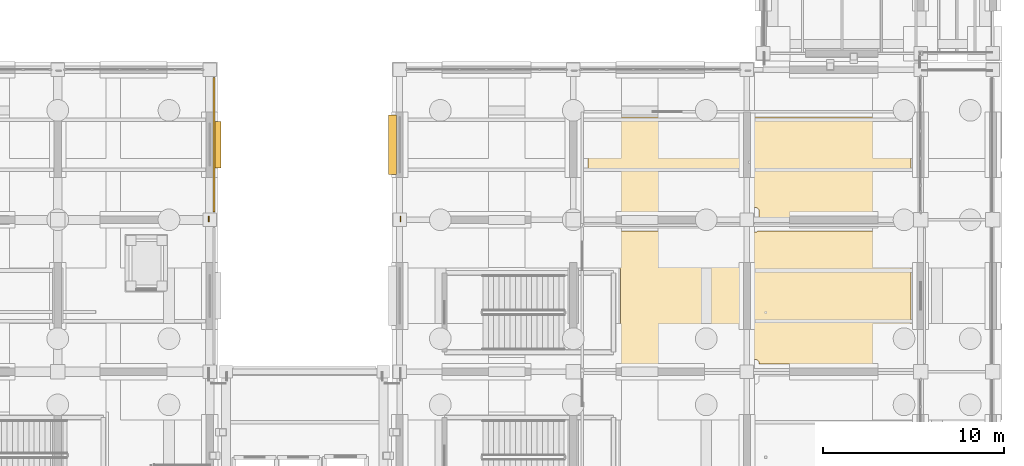
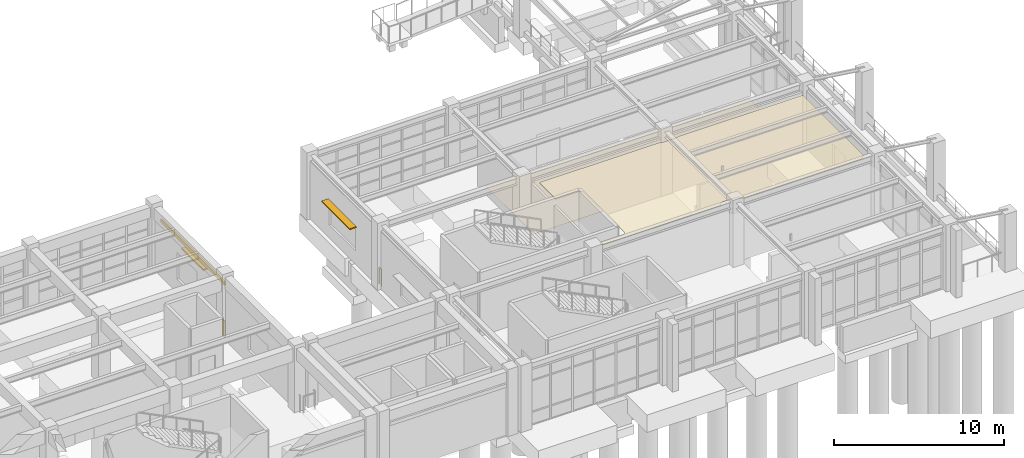
# One storey, part 107 of 111: 3 coverings, 2 railings, 2 shading devices.
"""IFC4 building model written with IfcOpenShell, lengths in metres."""

import ifcopenshell
import ifcopenshell.guid

model = None  # the IFC model being written
_history = None  # IfcOwnerHistory: only IFC2X3 demands one
_inside = {}  # id of a spatial element -> (the spatial element, [elements in it])
_under = {}  # id of a project, library or spatial element -> (it, [spatial elements below it])
_declared = {}  # id of a project -> (the project, [libraries it declares])
_typed = {}  # id of a type object -> (the type object, [elements of that type])
_made_of = {}  # id of a material, layer set ... -> (it, [elements and type objects made of it])


def new_model(schema):
    """Start an empty IFC model of exactly this schema.

    Asked for "IFC4X3", IfcOpenShell would pick the latest addendum, in which some entities
    have other attributes; the version numbers below select the first issue.
    IFC2X3 requires an IfcOwnerHistory on every rooted entity: one is made here for all.
    """
    global model, _history
    if schema == "IFC4X3":
        model = ifcopenshell.file(schema_version=(4, 3, 0, 0))
    else:
        model = ifcopenshell.file(schema=schema)
    _inside.clear()
    _under.clear()
    _declared.clear()
    _typed.clear()
    _made_of.clear()
    _history = None
    if model.schema == "IFC2X3":
        org = make("IfcOrganization", Name="unknown")
        user = make(
            "IfcPersonAndOrganization",
            ThePerson=make("IfcPerson", FamilyName="unknown"),
            TheOrganization=org,
        )
        app = make(
            "IfcApplication",
            ApplicationDeveloper=org,
            Version="unknown",
            ApplicationFullName="unknown",
            ApplicationIdentifier="unknown",
        )
        _history = make(
            "IfcOwnerHistory",
            OwningUser=user,
            OwningApplication=app,
            ChangeAction="ADDED",
            CreationDate=0,
        )
    return model


def make(cls, **values):
    """One entity of the class cls with the attributes given. An attribute that is None is left unset."""
    return model.create_entity(
        cls, **{name: value for name, value in values.items() if value is not None}
    )


def rooted(cls, **values):
    """An entity with a GlobalId (a new one), such as an element, a storey or a relation."""
    return make(cls, GlobalId=ifcopenshell.guid.new(), OwnerHistory=_history, **values)


def si_unit(unit_type, name, prefix=None):
    """IfcSIUnit, for example si_unit("LENGTHUNIT", "METRE", prefix="MILLI")."""
    return make("IfcSIUnit", UnitType=unit_type, Prefix=prefix, Name=name)


def assignment(units):
    """IfcUnitAssignment: the units of a project."""
    return None if units is None else make("IfcUnitAssignment", Units=units)


def point(xyz):
    """IfcCartesianPoint."""
    return None if xyz is None else make("IfcCartesianPoint", Coordinates=xyz)


def direction(xyz):
    """IfcDirection."""
    return None if xyz is None else make("IfcDirection", DirectionRatios=xyz)


def frame(location, z_axis=None, x_axis=None):
    """IfcAxis2Placement3D, a coordinate frame: its origin and axes. An axis left out is left unset."""
    return make(
        "IfcAxis2Placement3D",
        Location=point(location),
        Axis=direction(z_axis),
        RefDirection=direction(x_axis),
    )


def frame_2d(location, x_axis=None):
    """IfcAxis2Placement2D, a coordinate frame in the plane: its origin and x axis."""
    return make(
        "IfcAxis2Placement2D", Location=point(location), RefDirection=direction(x_axis)
    )


def origin():
    """The frame at (0, 0, 0) with its axes left unset."""
    return frame((0.0, 0.0, 0.0))


def origin_2d():
    """The frame at (0, 0) in the plane with its x axis left unset."""
    return frame_2d((0.0, 0.0))


def place(relative_to, where):
    """IfcLocalPlacement: puts the frame where relative to a parent placement (None: the world)."""
    return make(
        "IfcLocalPlacement", PlacementRelTo=relative_to, RelativePlacement=where
    )


def context(
    kind, dimensions, precision=None, world=None, true_north=None, identifier=None
):
    """IfcGeometricRepresentationContext, for example the 3D "Model" context."""
    return make(
        "IfcGeometricRepresentationContext",
        ContextIdentifier=identifier,
        ContextType=kind,
        CoordinateSpaceDimension=dimensions,
        Precision=precision,
        WorldCoordinateSystem=world,
        TrueNorth=true_north,
    )


def subcontext(parent, identifier, kind, view, scale=None):
    """IfcGeometricRepresentationSubContext, for example "Body" below "Model"."""
    return make(
        "IfcGeometricRepresentationSubContext",
        ContextIdentifier=identifier,
        ContextType=kind,
        ParentContext=parent,
        TargetScale=scale,
        TargetView=view,
    )


def project(units=None, contexts=None):
    """IfcProject with its units and contexts."""
    return rooted(
        "IfcProject",
        Name="project",
        RepresentationContexts=contexts,
        UnitsInContext=assignment(units),
    )


def spatial(cls, under=None, at=None, **own):
    """A site, building, storey or space (cls), placed at a placement, below another one or the project."""
    s = rooted(cls, ObjectPlacement=at, **own)
    if under is not None:
        _under.setdefault(under.id(), (under, []))[1].append(s)
    return s


def polyline(points):
    """IfcPolyline through the points."""
    return make("IfcPolyline", Points=[point(p) for p in points])


def profile(cls, at=None, kind="AREA", **sizes):
    """A parametric profile (cls). Its sizes go by their IFC names, for example OverallWidth=200.0."""
    return make(cls, ProfileType=kind, Position=at, **sizes)


def rectangle(**sizes):
    """IfcRectangleProfileDef."""
    return profile("IfcRectangleProfileDef", **sizes)


def circle(**sizes):
    """IfcCircleProfileDef."""
    return profile("IfcCircleProfileDef", **sizes)


def outline(outer, holes=None, kind="AREA"):
    """IfcArbitraryClosedProfileDef: a profile drawn as a closed curve; with holes, ...WithVoids."""
    if holes is None:
        return make("IfcArbitraryClosedProfileDef", ProfileType=kind, OuterCurve=outer)
    return make(
        "IfcArbitraryProfileDefWithVoids",
        ProfileType=kind,
        OuterCurve=outer,
        InnerCurves=holes,
    )


def extrude(swept, where, along, depth):
    """IfcExtrudedAreaSolid: the profile swept, set in the frame where, extruded along a direction by depth."""
    return make(
        "IfcExtrudedAreaSolid",
        SweptArea=swept,
        Position=where,
        ExtrudedDirection=direction(along),
        Depth=depth,
    )


def shape(context_of_items, identifier, shape_type, items):
    """IfcShapeRepresentation: the items that make up one representation, for example the "Body"."""
    return make(
        "IfcShapeRepresentation",
        ContextOfItems=context_of_items,
        RepresentationIdentifier=identifier,
        RepresentationType=shape_type,
        Items=items,
    )


def material(Name=None, Category=None):
    """IfcMaterial."""
    return make("IfcMaterial", Name=Name, Category=Category)


def layer(
    of_material, thickness, ventilated=None, Name=None, Category=None, Priority=None
):
    """IfcMaterialLayer: one layer of a wall or slab, of a material (None: an air gap)."""
    return make(
        "IfcMaterialLayer",
        Material=of_material,
        LayerThickness=thickness,
        IsVentilated=ventilated,
        Name=Name,
        Category=Category,
        Priority=Priority,
    )


def layer_set(layers, Name=None):
    """IfcMaterialLayerSet."""
    return make("IfcMaterialLayerSet", MaterialLayers=layers, LayerSetName=Name)


def made_of(thing, what):
    """Note that an element or type object is made of a material, layer set ...; save() writes the relation."""
    if what is not None:
        _made_of.setdefault(what.id(), (what, []))[1].append(thing)
    return thing


def type_object(cls, material=None, **own):
    """A type object (cls), such as IfcWallType, which elements share."""
    return made_of(rooted(cls, **own), material)


def element(
    cls,
    number,
    at=None,
    inside=None,
    cuts=None,
    type_object=None,
    material=None,
    context=None,
    identifier="Body",
    shape_type=None,
    held_by="IfcProductDefinitionShape",
    body=None,
    shapes=None,
    **own,
):
    """One element of the class cls, such as IfcWall. Its Tag is "e" and its number.

    at: its placement. inside: the storey or other place that contains it. cuts: it is an
    opening in that element (IfcRelVoidsElement). A single representation is given by context,
    identifier, shape_type and body (its items); several are given by shapes. held_by: the class
    of the entity that holds the representations. save() writes the other relations.
    """
    e = rooted(cls, Tag="e%d" % number, ObjectPlacement=at, **own)
    if body is not None:
        shapes = [shape(context, identifier, shape_type, body)]
    if shapes is not None:
        e.Representation = make(held_by, Representations=shapes)
    if inside is not None:
        _inside.setdefault(inside.id(), (inside, []))[1].append(e)
    if cuts is not None:
        rooted(
            "IfcRelVoidsElement", RelatingBuildingElement=cuts, RelatedOpeningElement=e
        )
    if type_object is not None:
        _typed.setdefault(type_object.id(), (type_object, []))[1].append(e)
    return made_of(e, material)


def aggregate(whole, parts):
    """IfcRelAggregates: a whole, such as a stair, and the parts it consists of."""
    return rooted("IfcRelAggregates", RelatingObject=whole, RelatedObjects=parts)


def save(model, path):
    """Write the relations noted so far, then the file.

    IfcRelAggregates (storeys below a building ...), IfcRelContainedInSpatialStructure (elements
    in a storey), IfcRelDefinesByType, IfcRelAssociatesMaterial and IfcRelDeclares: one each for
    every whole, place, type object, material and project.
    """
    for whole, parts in _under.values():
        aggregate(whole, parts)
    for where, things in _inside.values():
        rooted(
            "IfcRelContainedInSpatialStructure",
            RelatedElements=things,
            RelatingStructure=where,
        )
    for kind, things in _typed.values():
        rooted("IfcRelDefinesByType", RelatedObjects=things, RelatingType=kind)
    for what, things in _made_of.values():
        rooted("IfcRelAssociatesMaterial", RelatedObjects=things, RelatingMaterial=what)
    for by, libraries in _declared.values():
        rooted("IfcRelDeclares", RelatingContext=by, RelatedDefinitions=libraries)
    model.write(path)


model = new_model("IFC4")

# Units and contexts
model_context = context("Model", 3, precision=1e-05, world=origin(), true_north=direction((0.0, 1.0)))
body_context = subcontext(model_context, "Body", "Model", "MODEL_VIEW")
ifc_project = project(units=[si_unit("LENGTHUNIT", "METRE"), si_unit("AREAUNIT", "SQUARE_METRE"), si_unit("VOLUMEUNIT", "CUBIC_METRE"), si_unit("PLANEANGLEUNIT", "RADIAN"), si_unit("MASSUNIT", "GRAM", prefix="KILO")], contexts=[model_context])

# Site, building, storey
site_placement = place(None, origin())
site = spatial("IfcSite", under=ifc_project, at=site_placement, CompositionType="ELEMENT")
building_placement = place(site_placement, origin())
building = spatial("IfcBuilding", under=site, at=building_placement, Name="Canglan Escarpment Cableway Terminal", CompositionType="ELEMENT")
storey_placement = place(building_placement, frame((0.0, 0.0, 4.800048828125)))
storey = spatial("IfcBuildingStorey", under=building, at=storey_placement, Name="L01", CompositionType="ELEMENT", Elevation=4.800048828125)

# Coverings
ifc_material_1 = material(Name="Moisture-resistant acoustic gypsum ceiling", Category="gypsum")
ifc_layer_1 = layer(ifc_material_1, 0.030029296875, Name="Moisture-resistant acoustic gypsum ceiling")
ifc_layer_set_1 = layer_set([ifc_layer_1], Name="Moisture-resistant acoustic gypsum ceiling")
covering_type_1 = type_object("IfcCoveringType", Name="COV-CEIL-GYPSUM-30", PredefinedType="CEILING", material=ifc_layer_set_1)
covering_1_placement = place(storey_placement, frame((0.0, 0.0, 4.070068359375)))
element("IfcCovering", 1, at=covering_1_placement, inside=storey, type_object=covering_type_1, Name="VIP Reception Lounge suspended acoustic ceiling", PredefinedType="CEILING", context=body_context, shape_type="SweptSolid", body=[
    extrude(outline(polyline([(165.781494140625, 24.179931640625), (165.783447265625, 24.179931640625), (165.785400390625, 24.1796875), (165.787109375, 24.17919921875), (165.788818359375, 24.1787109375), (165.79052734375, 24.177978515625), (165.7919921875, 24.177001953125), (165.793701171875, 24.176025390625), (165.794921875, 24.1748046875), (165.800048828125, 24.17041015625), (165.80078125, 24.169677734375), (165.8173828125, 24.157470703125), (165.818115234375, 24.15673828125), (165.8359375, 24.146240234375), (165.836669921875, 24.145751953125), (165.85546875, 24.136962890625), (165.856201171875, 24.13671875), (165.875732421875, 24.129638671875), (165.876708984375, 24.12939453125), (165.896484375, 24.124267578125), (165.897705078125, 24.124267578125), (165.91796875, 24.12109375), (165.9189453125, 24.12109375), (165.939697265625, 24.1201171875), (165.940185546875, 24.1201171875), (166.85986328125, 24.1201171875), (166.860107421875, 24.1201171875), (166.881103515625, 24.12109375), (166.882080078125, 24.12109375), (166.90234375, 24.124267578125), (166.9033203125, 24.124267578125), (166.92333984375, 24.12939453125), (166.92431640625, 24.129638671875), (166.943603515625, 24.13671875), (166.944580078125, 24.136962890625), (166.96337890625, 24.145751953125), (166.964111328125, 24.146240234375), (166.981689453125, 24.15673828125), (166.982666015625, 24.157470703125), (166.999267578125, 24.169677734375), (167.0, 24.17041015625), (167.0048828125, 24.1748046875), (167.00634765625, 24.176025390625), (167.0078125, 24.177001953125), (167.009521484375, 24.177978515625), (167.01123046875, 24.1787109375), (167.012939453125, 24.17919921875), (167.0146484375, 24.1796875), (167.0166015625, 24.179931640625), (167.018310546875, 24.179931640625), (175.381591796875, 24.179931640625), (175.383544921875, 24.179931640625), (175.38525390625, 24.1796875), (175.38720703125, 24.17919921875), (175.388916015625, 24.1787109375), (175.390380859375, 24.177978515625), (175.39208984375, 24.177001953125), (175.3935546875, 24.176025390625), (175.39501953125, 24.1748046875), (175.400146484375, 24.17041015625), (175.40087890625, 24.169677734375), (175.41748046875, 24.157470703125), (175.418212890625, 24.15673828125), (175.435791015625, 24.146240234375), (175.436767578125, 24.145751953125), (175.455322265625, 24.136962890625), (175.456298828125, 24.13671875), (175.466796875, 24.1328125), (175.468505859375, 24.132080078125), (175.47021484375, 24.131103515625), (175.4716796875, 24.130126953125), (175.47314453125, 24.12890625), (175.474609375, 24.127685546875), (175.475830078125, 24.126220703125), (175.476806640625, 24.124755859375), (175.477783203125, 24.123046875), (175.478515625, 24.121337890625), (175.479248046875, 24.11962890625), (175.4794921875, 24.117919921875), (175.47998046875, 24.115966796875), (175.47998046875, 24.114013671875), (175.47998046875, 17.0859375), (175.47998046875, 17.083984375), (175.4794921875, 17.082275390625), (175.479248046875, 17.080322265625), (175.478515625, 17.07861328125), (175.477783203125, 17.076904296875), (175.476806640625, 17.0751953125), (175.475830078125, 17.07373046875), (175.474609375, 17.072265625), (175.47314453125, 17.071044921875), (175.4716796875, 17.06982421875), (175.47021484375, 17.06884765625), (175.468505859375, 17.06787109375), (175.466796875, 17.067138671875), (175.456298828125, 17.0634765625), (175.455322265625, 17.06298828125), (175.436767578125, 17.05419921875), (175.435791015625, 17.0537109375), (175.418212890625, 17.043212890625), (175.41748046875, 17.04248046875), (175.40087890625, 17.030517578125), (175.400146484375, 17.02978515625), (175.384765625, 17.015869140625), (175.384033203125, 17.01513671875), (175.370361328125, 17.0), (175.36962890625, 16.999267578125), (175.357421875, 16.982666015625), (175.356689453125, 16.981689453125), (175.34619140625, 16.964111328125), (175.345703125, 16.96337890625), (175.3369140625, 16.944580078125), (175.336669921875, 16.943603515625), (175.32958984375, 16.92431640625), (175.329345703125, 16.92333984375), (175.32421875, 16.9033203125), (175.32421875, 16.90234375), (175.321044921875, 16.882080078125), (175.321044921875, 16.881103515625), (175.320068359375, 16.860107421875), (175.320068359375, 16.85986328125), (175.320068359375, 16.840087890625), (175.31982421875, 16.837890625), (175.319580078125, 16.836181640625), (175.319091796875, 16.834228515625), (175.318603515625, 16.832275390625), (175.317626953125, 16.83056640625), (175.316650390625, 16.828857421875), (175.3154296875, 16.827392578125), (175.314208984375, 16.825927734375), (175.312744140625, 16.824462890625), (175.31103515625, 16.823486328125), (175.309326171875, 16.822509765625), (175.3076171875, 16.821533203125), (175.305908203125, 16.82080078125), (175.303955078125, 16.8203125), (175.302001953125, 16.820068359375), (175.300048828125, 16.820068359375), (167.10009765625, 16.820068359375), (167.097900390625, 16.820068359375), (167.09619140625, 16.8203125), (167.09423828125, 16.82080078125), (167.09228515625, 16.821533203125), (167.090576171875, 16.822509765625), (167.0888671875, 16.823486328125), (167.08740234375, 16.824462890625), (167.0859375, 16.825927734375), (167.08447265625, 16.827392578125), (167.08349609375, 16.828857421875), (167.08251953125, 16.83056640625), (167.08154296875, 16.832275390625), (167.080810546875, 16.834228515625), (167.080322265625, 16.836181640625), (167.080078125, 16.837890625), (167.080078125, 16.840087890625), (167.080078125, 16.85986328125), (167.080078125, 16.860107421875), (167.0791015625, 16.881103515625), (167.078857421875, 16.882080078125), (167.07568359375, 16.90234375), (167.07568359375, 16.9033203125), (167.070556640625, 16.92333984375), (167.0703125, 16.92431640625), (167.0634765625, 16.943603515625), (167.06298828125, 16.944580078125), (167.05419921875, 16.96337890625), (167.0537109375, 16.964111328125), (167.043212890625, 16.981689453125), (167.04248046875, 16.982666015625), (167.030517578125, 16.999267578125), (167.02978515625, 17.0), (167.015869140625, 17.01513671875), (167.01513671875, 17.015869140625), (167.0, 17.02978515625), (166.999267578125, 17.030517578125), (166.982666015625, 17.04248046875), (166.981689453125, 17.043212890625), (166.964111328125, 17.0537109375), (166.96337890625, 17.05419921875), (166.944580078125, 17.06298828125), (166.943603515625, 17.0634765625), (166.92431640625, 17.0703125), (166.92333984375, 17.070556640625), (166.9033203125, 17.07568359375), (166.90234375, 17.07568359375), (166.882080078125, 17.078857421875), (166.881103515625, 17.0791015625), (166.860107421875, 17.080078125), (166.85986328125, 17.080078125), (165.940185546875, 17.080078125), (165.939697265625, 17.080078125), (165.9189453125, 17.0791015625), (165.91796875, 17.078857421875), (165.897705078125, 17.07568359375), (165.896484375, 17.07568359375), (165.876708984375, 17.070556640625), (165.875732421875, 17.0703125), (165.856201171875, 17.0634765625), (165.85546875, 17.06298828125), (165.836669921875, 17.05419921875), (165.8359375, 17.0537109375), (165.818115234375, 17.043212890625), (165.8173828125, 17.04248046875), (165.80078125, 17.030517578125), (165.800048828125, 17.02978515625), (165.784912109375, 17.015869140625), (165.7841796875, 17.01513671875), (165.770263671875, 17.0), (165.76953125, 16.999267578125), (165.75732421875, 16.982666015625), (165.7568359375, 16.981689453125), (165.74609375, 16.964111328125), (165.745849609375, 16.96337890625), (165.737060546875, 16.944580078125), (165.736572265625, 16.943603515625), (165.7294921875, 16.92431640625), (165.7294921875, 16.92333984375), (165.724365234375, 16.9033203125), (165.72412109375, 16.90234375), (165.72119140625, 16.882080078125), (165.720947265625, 16.881103515625), (165.719970703125, 16.860107421875), (165.719970703125, 16.85986328125), (165.719970703125, 16.840087890625), (165.719970703125, 16.837890625), (165.719482421875, 16.836181640625), (165.718994140625, 16.834228515625), (165.718505859375, 16.832275390625), (165.717529296875, 16.83056640625), (165.716552734375, 16.828857421875), (165.715576171875, 16.827392578125), (165.714111328125, 16.825927734375), (165.712646484375, 16.824462890625), (165.711181640625, 16.823486328125), (165.70947265625, 16.822509765625), (165.707763671875, 16.821533203125), (165.705810546875, 16.82080078125), (165.703857421875, 16.8203125), (165.701904296875, 16.820068359375), (165.699951171875, 16.820068359375), (157.639892578125, 16.820068359375), (157.637939453125, 16.820068359375), (157.635986328125, 16.8203125), (157.63427734375, 16.82080078125), (157.63232421875, 16.821533203125), (157.630615234375, 16.822509765625), (157.62890625, 16.823486328125), (157.627197265625, 16.824462890625), (157.6259765625, 16.825927734375), (157.62451171875, 16.827392578125), (157.623291015625, 16.828857421875), (157.622314453125, 16.83056640625), (157.62158203125, 16.832275390625), (157.620849609375, 16.834228515625), (157.620361328125, 16.836181640625), (157.6201171875, 16.837890625), (157.6201171875, 16.840087890625), (157.6201171875, 17.080078125), (157.6201171875, 17.08203125), (157.620361328125, 17.083984375), (157.620849609375, 17.085693359375), (157.62158203125, 17.087646484375), (157.622314453125, 17.08935546875), (157.623291015625, 17.091064453125), (157.62451171875, 17.0927734375), (157.6259765625, 17.093994140625), (157.627197265625, 17.095458984375), (157.62890625, 17.0966796875), (157.630615234375, 17.09765625), (157.63232421875, 17.098388671875), (157.63427734375, 17.09912109375), (157.635986328125, 17.099609375), (157.637939453125, 17.099853515625), (157.639892578125, 17.10009765625), (159.1796875, 17.10009765625), (159.18017578125, 17.10009765625), (159.201171875, 17.10107421875), (159.201904296875, 17.10107421875), (159.222412109375, 17.104248046875), (159.223388671875, 17.104248046875), (159.243408203125, 17.109375), (159.244384765625, 17.109619140625), (159.263671875, 17.11669921875), (159.2646484375, 17.116943359375), (159.283203125, 17.125732421875), (159.2841796875, 17.126220703125), (159.3017578125, 17.13671875), (159.302490234375, 17.137451171875), (159.319091796875, 17.149658203125), (159.31982421875, 17.150390625), (159.335205078125, 17.1640625), (159.3359375, 17.164794921875), (159.349609375, 17.18017578125), (159.350341796875, 17.180908203125), (159.362548828125, 17.197509765625), (159.36328125, 17.1982421875), (159.373779296875, 17.2158203125), (159.374267578125, 17.216796875), (159.383056640625, 17.2353515625), (159.38330078125, 17.236328125), (159.390380859375, 17.255615234375), (159.390625, 17.256591796875), (159.395751953125, 17.276611328125), (159.395751953125, 17.277587890625), (159.39892578125, 17.298095703125), (159.39892578125, 17.298828125), (159.39990234375, 17.31982421875), (159.39990234375, 17.3203125), (159.39990234375, 22.02978515625), (159.39990234375, 22.0302734375), (159.39892578125, 22.051025390625), (159.39892578125, 22.052001953125), (159.395751953125, 22.072509765625), (159.395751953125, 22.073486328125), (159.390625, 22.093505859375), (159.390380859375, 22.09423828125), (159.38330078125, 22.11376953125), (159.383056640625, 22.114501953125), (159.374267578125, 22.13330078125), (159.373779296875, 22.134033203125), (159.36328125, 22.15185546875), (159.362548828125, 22.152587890625), (159.350341796875, 22.169189453125), (159.349609375, 22.169921875), (159.3359375, 22.185302734375), (159.335205078125, 22.185791015625), (159.31982421875, 22.19970703125), (159.319091796875, 22.200439453125), (159.302490234375, 22.212646484375), (159.3017578125, 22.213134765625), (159.2841796875, 22.223876953125), (159.283203125, 22.22412109375), (159.2646484375, 22.23291015625), (159.263671875, 22.2333984375), (159.244384765625, 22.240478515625), (159.243408203125, 22.240478515625), (159.223388671875, 22.24560546875), (159.222412109375, 22.245849609375), (159.201904296875, 22.248779296875), (159.201171875, 22.2490234375), (159.18017578125, 22.25), (159.1796875, 22.25), (157.639892578125, 22.25), (157.637939453125, 22.25), (157.635986328125, 22.25048828125), (157.63427734375, 22.2509765625), (157.63232421875, 22.25146484375), (157.630615234375, 22.25244140625), (157.62890625, 22.25341796875), (157.627197265625, 22.25439453125), (157.6259765625, 22.255859375), (157.62451171875, 22.25732421875), (157.623291015625, 22.2587890625), (157.622314453125, 22.260498046875), (157.62158203125, 22.26220703125), (157.620849609375, 22.26416015625), (157.620361328125, 22.26611328125), (157.6201171875, 22.26806640625), (157.6201171875, 22.27001953125), (157.6201171875, 24.159912109375), (157.6201171875, 24.162109375), (157.620361328125, 24.163818359375), (157.620849609375, 24.165771484375), (157.62158203125, 24.167724609375), (157.622314453125, 24.16943359375), (157.623291015625, 24.171142578125), (157.62451171875, 24.172607421875), (157.6259765625, 24.174072265625), (157.627197265625, 24.175537109375), (157.62890625, 24.176513671875), (157.630615234375, 24.177490234375), (157.63232421875, 24.178466796875), (157.63427734375, 24.17919921875), (157.635986328125, 24.1796875), (157.637939453125, 24.179931640625), (157.639892578125, 24.179931640625), (165.781494140625, 24.179931640625)])), origin(), (0.0, 0.0, 1.0), 0.02978515625),
])
ifc_material_2 = material(Name="Carved classical limestone cornice", Category="masonry")
ifc_layer_2 = layer(ifc_material_2, 0.1201171875, Name="Carved classical limestone cornice")
ifc_layer_set_2 = layer_set([ifc_layer_2], Name="Carved classical limestone cornice")
covering_type_2 = type_object("IfcCoveringType", Name="COV-CORNICE-STONE", PredefinedType="CLADDING", material=ifc_layer_set_2)
covering_2_placement = place(storey_placement, frame((136.93994140625, 28.949951171875, 3.35498046875), z_axis=(0.0, 0.0, 1.0), x_axis=(0.0, 1.0, 0.0)))
element("IfcCovering", 2, at=covering_2_placement, inside=storey, type_object=covering_type_2, Name="Classical carved limestone cornice CL-01", PredefinedType="CLADDING", context=body_context, shape_type="SweptSolid", body=[
    extrude(rectangle(XDim=7.449951171875, YDim=0.1201171875, at=origin_2d()), origin(), (0.0, 0.0, 1.0), 0.239990234375),
])
ifc_material_3 = material(Name="Honed Sichuan grey granite flooring", Category="masonry")
ifc_layer_3 = layer(ifc_material_3, 0.02001953125, Name="Honed Sichuan grey granite flooring")
ifc_layer_set_3 = layer_set([ifc_layer_3], Name="Honed Sichuan grey granite flooring")
covering_type_3 = type_object("IfcCoveringType", Name="COV-FLR-GRANITE-20", PredefinedType="FLOORING", material=ifc_layer_set_3)
covering_3_placement = place(storey_placement, origin())
element("IfcCovering", 3, at=covering_3_placement, inside=storey, type_object=covering_type_3, Name="Ceremonial Greeting Hall stone floor finish", PredefinedType="FLOORING", context=body_context, shape_type="SweptSolid", body=[
    extrude(outline(polyline([(157.6201171875, 30.4599609375), (157.6201171875, 30.4619140625), (157.620361328125, 30.4638671875), (157.620849609375, 30.4658203125), (157.62158203125, 30.4677734375), (157.622314453125, 30.469482421875), (157.623291015625, 30.47119140625), (157.62451171875, 30.47265625), (157.6259765625, 30.47412109375), (157.627197265625, 30.4755859375), (157.62890625, 30.4765625), (157.630615234375, 30.4775390625), (157.63232421875, 30.478515625), (157.63427734375, 30.47900390625), (157.635986328125, 30.4794921875), (157.637939453125, 30.47998046875), (157.639892578125, 30.47998046875), (175.4599609375, 30.47998046875), (175.4619140625, 30.47998046875), (175.4638671875, 30.4794921875), (175.4658203125, 30.47900390625), (175.4677734375, 30.478515625), (175.469482421875, 30.4775390625), (175.47119140625, 30.4765625), (175.47265625, 30.4755859375), (175.47412109375, 30.47412109375), (175.4755859375, 30.47265625), (175.4765625, 30.47119140625), (175.4775390625, 30.469482421875), (175.478515625, 30.4677734375), (175.47900390625, 30.4658203125), (175.4794921875, 30.4638671875), (175.47998046875, 30.4619140625), (175.47998046875, 30.4599609375), (175.47998046875, 25.486083984375), (175.47998046875, 25.484130859375), (175.4794921875, 25.482177734375), (175.479248046875, 25.48046875), (175.478515625, 25.478515625), (175.477783203125, 25.476806640625), (175.476806640625, 25.475341796875), (175.475830078125, 25.4736328125), (175.474609375, 25.472412109375), (175.47314453125, 25.470947265625), (175.4716796875, 25.4697265625), (175.47021484375, 25.46875), (175.468505859375, 25.468017578125), (175.466796875, 25.46728515625), (175.456298828125, 25.46337890625), (175.455322265625, 25.462890625), (175.436767578125, 25.4541015625), (175.435791015625, 25.453857421875), (175.418212890625, 25.443115234375), (175.41748046875, 25.442626953125), (175.40087890625, 25.430419921875), (175.400146484375, 25.4296875), (175.384765625, 25.416015625), (175.384033203125, 25.415283203125), (175.370361328125, 25.39990234375), (175.36962890625, 25.399169921875), (175.357421875, 25.382568359375), (175.356689453125, 25.3818359375), (175.34619140625, 25.364013671875), (175.345703125, 25.36328125), (175.3369140625, 25.344482421875), (175.336669921875, 25.34375), (175.32958984375, 25.32421875), (175.329345703125, 25.323486328125), (175.32421875, 25.303466796875), (175.32421875, 25.302490234375), (175.321044921875, 25.281982421875), (175.321044921875, 25.281005859375), (175.320068359375, 25.26025390625), (175.320068359375, 25.259765625), (175.320068359375, 24.840087890625), (175.31982421875, 24.837890625), (175.319580078125, 24.836181640625), (175.319091796875, 24.834228515625), (175.318603515625, 24.832275390625), (175.317626953125, 24.83056640625), (175.316650390625, 24.828857421875), (175.3154296875, 24.827392578125), (175.314208984375, 24.825927734375), (175.312744140625, 24.824462890625), (175.31103515625, 24.823486328125), (175.309326171875, 24.822509765625), (175.3076171875, 24.821533203125), (175.305908203125, 24.82080078125), (175.303955078125, 24.8203125), (175.302001953125, 24.820068359375), (175.300048828125, 24.820068359375), (167.10009765625, 24.820068359375), (167.097900390625, 24.820068359375), (167.09619140625, 24.8203125), (167.09423828125, 24.82080078125), (167.09228515625, 24.821533203125), (167.090576171875, 24.822509765625), (167.0888671875, 24.823486328125), (167.08740234375, 24.824462890625), (167.0859375, 24.825927734375), (167.08447265625, 24.827392578125), (167.08349609375, 24.828857421875), (167.08251953125, 24.83056640625), (167.08154296875, 24.832275390625), (167.080810546875, 24.834228515625), (167.080322265625, 24.836181640625), (167.080078125, 24.837890625), (167.080078125, 24.840087890625), (167.080078125, 25.259765625), (167.080078125, 25.26025390625), (167.0791015625, 25.281005859375), (167.078857421875, 25.281982421875), (167.07568359375, 25.302490234375), (167.07568359375, 25.303466796875), (167.070556640625, 25.323486328125), (167.0703125, 25.32421875), (167.0634765625, 25.34375), (167.06298828125, 25.344482421875), (167.05419921875, 25.36328125), (167.0537109375, 25.364013671875), (167.043212890625, 25.3818359375), (167.04248046875, 25.382568359375), (167.030517578125, 25.399169921875), (167.02978515625, 25.39990234375), (167.015869140625, 25.415283203125), (167.01513671875, 25.416015625), (167.0, 25.4296875), (166.999267578125, 25.430419921875), (166.982666015625, 25.442626953125), (166.981689453125, 25.443115234375), (166.964111328125, 25.453857421875), (166.96337890625, 25.4541015625), (166.944580078125, 25.462890625), (166.943603515625, 25.46337890625), (166.92431640625, 25.470458984375), (166.92333984375, 25.470703125), (166.9033203125, 25.4755859375), (166.90234375, 25.475830078125), (166.882080078125, 25.47900390625), (166.881103515625, 25.47900390625), (166.860107421875, 25.47998046875), (166.85986328125, 25.47998046875), (165.940185546875, 25.47998046875), (165.939697265625, 25.47998046875), (165.9189453125, 25.47900390625), (165.91796875, 25.47900390625), (165.897705078125, 25.475830078125), (165.896484375, 25.4755859375), (165.876708984375, 25.470703125), (165.875732421875, 25.470458984375), (165.856201171875, 25.46337890625), (165.85546875, 25.462890625), (165.836669921875, 25.4541015625), (165.8359375, 25.453857421875), (165.818115234375, 25.443115234375), (165.8173828125, 25.442626953125), (165.80078125, 25.430419921875), (165.800048828125, 25.4296875), (165.784912109375, 25.416015625), (165.7841796875, 25.415283203125), (165.770263671875, 25.39990234375), (165.76953125, 25.399169921875), (165.75732421875, 25.382568359375), (165.7568359375, 25.3818359375), (165.74609375, 25.364013671875), (165.745849609375, 25.36328125), (165.737060546875, 25.344482421875), (165.736572265625, 25.34375), (165.7294921875, 25.32421875), (165.7294921875, 25.323486328125), (165.724365234375, 25.303466796875), (165.72412109375, 25.302490234375), (165.72119140625, 25.281982421875), (165.720947265625, 25.281005859375), (165.719970703125, 25.26025390625), (165.719970703125, 25.259765625), (165.719970703125, 24.840087890625), (165.719970703125, 24.837890625), (165.719482421875, 24.836181640625), (165.718994140625, 24.834228515625), (165.718505859375, 24.832275390625), (165.717529296875, 24.83056640625), (165.716552734375, 24.828857421875), (165.715576171875, 24.827392578125), (165.714111328125, 24.825927734375), (165.712646484375, 24.824462890625), (165.711181640625, 24.823486328125), (165.70947265625, 24.822509765625), (165.707763671875, 24.821533203125), (165.705810546875, 24.82080078125), (165.703857421875, 24.8203125), (165.701904296875, 24.820068359375), (165.699951171875, 24.820068359375), (157.639892578125, 24.820068359375), (157.637939453125, 24.820068359375), (157.635986328125, 24.8203125), (157.63427734375, 24.82080078125), (157.63232421875, 24.821533203125), (157.630615234375, 24.822509765625), (157.62890625, 24.823486328125), (157.627197265625, 24.824462890625), (157.6259765625, 24.825927734375), (157.62451171875, 24.827392578125), (157.623291015625, 24.828857421875), (157.622314453125, 24.83056640625), (157.62158203125, 24.832275390625), (157.620849609375, 24.834228515625), (157.620361328125, 24.836181640625), (157.6201171875, 24.837890625), (157.6201171875, 24.840087890625), (157.6201171875, 30.4599609375)])), origin(), (0.0, 0.0, 1.0), 0.02001953125),
])

# Railings
ifc_material_4 = material(Name="Carved limestone and anodized bronze balustrade", Category="masonry")
railing_type = type_object("IfcRailingType", Name="RL-EXT-BALUSTRADE-1200", PredefinedType="BALUSTRADE", material=ifc_material_4)
railing_1_placement = place(storey_placement, frame((136.64990234375, 24.985107421875, 0.0)))
element("IfcRailing", 4, at=railing_1_placement, inside=storey, type_object=railing_type, Name="Classical terrace balustrade guard GD-01 (L01)", PredefinedType="BALUSTRADE", context=body_context, shape_type="SweptSolid", body=[
    extrude(circle(Radius=0.02392578125, at=origin_2d()), frame((0.0, 0.0, 1.17578125), z_axis=(0.0, -1.0, 0.0), x_axis=(1.0, 0.0, 0.0)), (0.0, 0.0, 1.0), 0.27001953125),
    extrude(circle(Radius=0.02099609375, at=origin_2d()), origin(), (0.0, 0.0, 1.0), 1.15185546875),
    extrude(circle(Radius=0.02099609375, at=origin_2d()), frame((0.0, -0.27001953125, 0.0)), (0.0, 0.0, 1.0), 1.15185546875),
])
railing_2_placement = place(storey_placement, frame((147.25, 24.715087890625, 0.0)))
element("IfcRailing", 5, at=railing_2_placement, inside=storey, type_object=railing_type, Name="Classical terrace balustrade guard GD-01 (L01)", PredefinedType="BALUSTRADE", context=body_context, shape_type="SweptSolid", body=[
    extrude(circle(Radius=0.02392578125, at=origin_2d()), frame((0.0, 0.0, 1.17578125), z_axis=(0.0, 1.0, 0.0), x_axis=(-1.0, 0.0, 0.0)), (0.0, 0.0, 1.0), 0.27001953125),
    extrude(circle(Radius=0.02099609375, at=origin_2d()), origin(), (0.0, 0.0, 1.0), 1.15185546875),
    extrude(circle(Radius=0.02099609375, at=origin_2d()), frame((0.0, 0.27001953125, 0.0)), (0.0, 0.0, 1.0), 1.15185546875),
])

# Shading devices
ifc_material_5 = material(Name="Anodized architectural bronze aluminium", Category="aluminium")
ifc_layer_4 = layer(ifc_material_5, 0.080078125, Name="Anodized architectural bronze aluminium")
ifc_layer_set_4 = layer_set([ifc_layer_4], Name="Anodized architectural bronze aluminium")
shading_device_type_1 = type_object("IfcShadingDeviceType", Name="SHD-BRONZE-LOUVRE-01", PredefinedType="JALOUSIE", material=ifc_layer_set_4)
shading_device_1_placement = place(storey_placement, frame((137.10498046875, 28.949951171875, 2.919921875), z_axis=(0.0, 0.0, 1.0), x_axis=(0.0, 1.0, 0.0)))
element("IfcShadingDevice", 6, at=shading_device_1_placement, inside=storey, type_object=shading_device_type_1, Name="Anodized bronze sun-shading brise-soleil SD-01", PredefinedType="JALOUSIE", context=body_context, shape_type="SweptSolid", body=[
    extrude(rectangle(XDim=2.550048828125, YDim=0.449951171875, at=origin_2d()), origin(), (0.0, 0.0, 1.0), 0.080078125),
])
ifc_layer_5 = layer(ifc_material_5, 0.10009765625, Name="Anodized architectural bronze aluminium")
ifc_layer_set_5 = layer_set([ifc_layer_5], Name="Anodized architectural bronze aluminium")
shading_device_type_2 = type_object("IfcShadingDeviceType", Name="SHD-BRONZE-LOUVRE-02", PredefinedType="JALOUSIE", material=ifc_layer_set_5)
shading_device_2_placement = place(storey_placement, frame((146.81494140625, 28.949951171875, 2.669921875), z_axis=(0.0, 0.0, 1.0), x_axis=(0.0, -1.0, 0.0)))
element("IfcShadingDevice", 7, at=shading_device_2_placement, inside=storey, type_object=shading_device_type_2, Name="Anodized bronze sun-shading brise-soleil SD-01", PredefinedType="JALOUSIE", context=body_context, shape_type="SweptSolid", body=[
    extrude(rectangle(XDim=3.300048828125, YDim=0.449951171875, at=origin_2d()), origin(), (0.0, 0.0, 1.0), 0.080078125),
])

save(model, "model.ifc")
